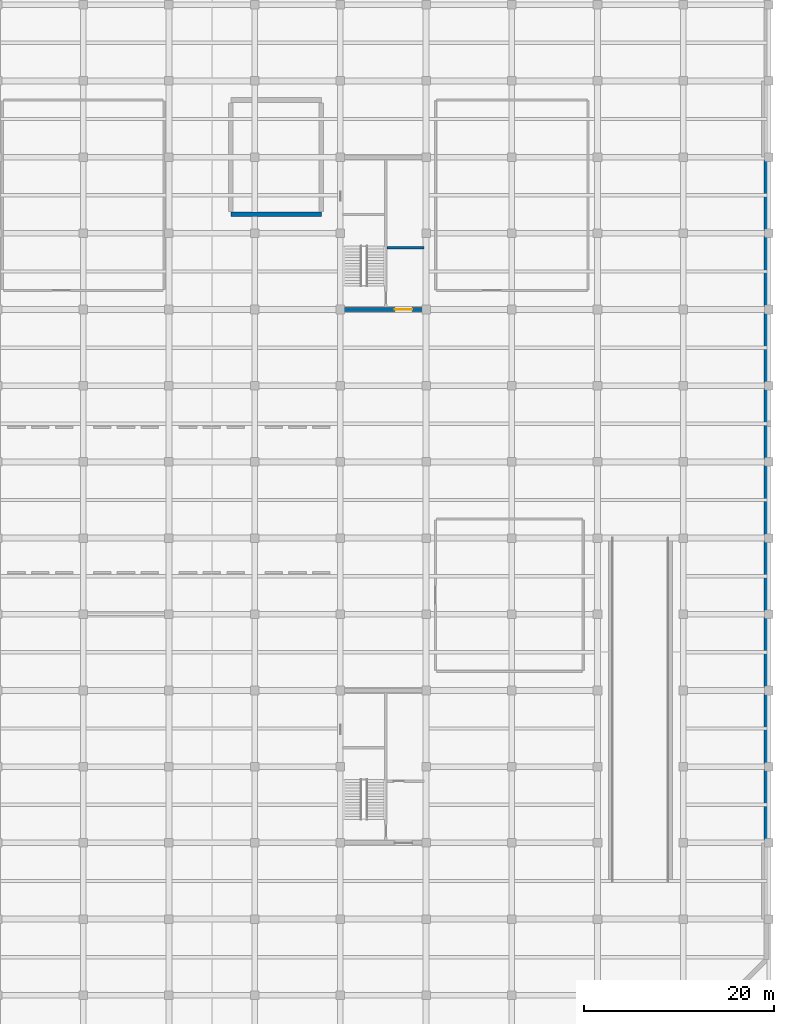
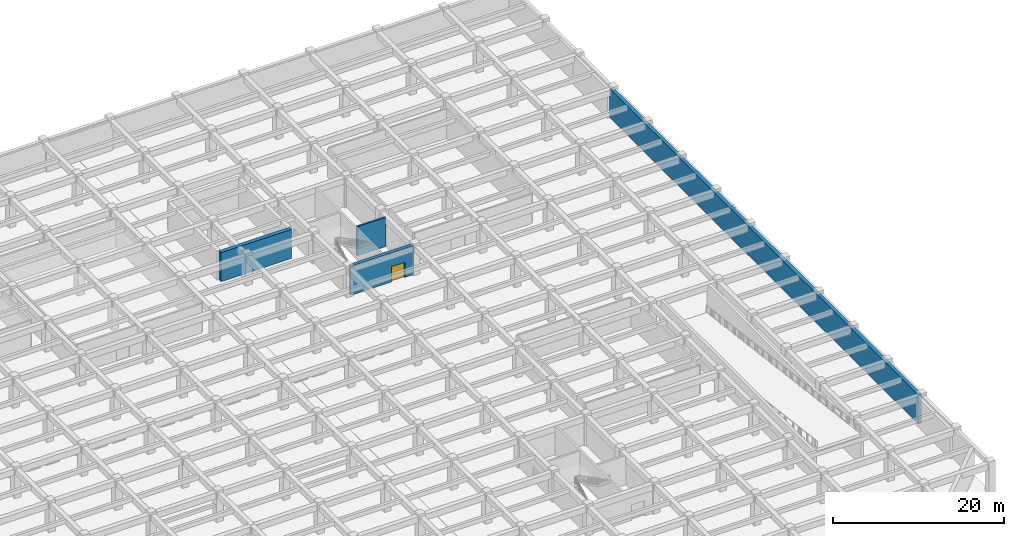
# One storey, part 17 of 26: 4 walls, 1 door, 1 opening.
"""IFC4 building model written with IfcOpenShell, lengths in metres."""

from ifc_helpers import new_model, si_unit, direction, frame, frame_2d, origin, place, context, subcontext, project, spatial, rectangle, extrude, material, layer, layer_set, type_object, element, fill, save


model = new_model("IFC4")

# Units and contexts
model_context = context("Model", 3, precision=1e-05, world=origin(), true_north=direction((0.0, 1.0)))
body_context = subcontext(model_context, "Body", "Model", "MODEL_VIEW")
ifc_project = project(units=[si_unit("LENGTHUNIT", "METRE"), si_unit("AREAUNIT", "SQUARE_METRE"), si_unit("VOLUMEUNIT", "CUBIC_METRE"), si_unit("PLANEANGLEUNIT", "RADIAN"), si_unit("MASSUNIT", "GRAM", prefix="KILO")], contexts=[model_context])

# Site, building, storey
site_placement = place(None, origin())
site = spatial("IfcSite", under=ifc_project, at=site_placement, CompositionType="ELEMENT")
building_placement = place(site_placement, origin())
building = spatial("IfcBuilding", under=site, at=building_placement, Name="Zaverband Oceanarium and Marine Research Institute", CompositionType="ELEMENT")
storey_placement = place(building_placement, frame((0.0, 0.0, -4.5)))
storey = spatial("IfcBuildingStorey", under=building, at=storey_placement, Name="B1", CompositionType="ELEMENT", Elevation=-4.5)

# Wall, opening, door
ifc_material_1 = material(Name="Concrete C50/60", Category="concrete")
ifc_layer_1 = layer(ifc_material_1, 0.449951171875, Name="Concrete C50/60")
ifc_layer_set_1 = layer_set([ifc_layer_1], Name="Concrete C50/60")
wall_type_1 = type_object("IfcWallType", Name="CW-02", PredefinedType="SHEAR", material=ifc_layer_set_1)
wall_1_placement = place(storey_placement, frame((135.22509765625, 80.0, 0.0), z_axis=(0.0, 0.0, 1.0), x_axis=(1.0, 0.0, 0.0)))
wall_1 = element("IfcWall", 1, at=wall_1_placement, inside=storey, type_object=wall_type_1, Name="Structural shear wall CW-02", PredefinedType="SHEAR", context=body_context, shape_type="SweptSolid", body=[
    extrude(rectangle(XDim=8.5498046875, YDim=0.449951171875, at=frame_2d((4.27490234375, 0.0))), origin(), (0.0, 0.0, 1.0), 4.14990234375),
])
opening_placement = place(wall_1_placement, frame((5.5, 0.0, 0.0)))
opening = element("IfcOpeningElement", 2, at=opening_placement, cuts=wall_1, Name="Opening FD-02", PredefinedType="OPENING", context=body_context, shape_type="SweptSolid", body=[
    extrude(rectangle(XDim=1.800048828125, YDim=2.179931640625, at=frame_2d((0.89990234375, 1.08984375))), frame((0.0, 0.23681640625, 0.0), z_axis=(0.0, -1.0, 0.0), x_axis=(1.0, 0.0, 0.0)), (0.0, 0.0, 1.0), 0.473876953125),
])
ifc_material_2 = material(Name="Steel S355", Category="steel")
door_type = type_object("IfcDoorType", Name="FD-02", OperationType="DOUBLE_DOOR_SINGLE_SWING", PredefinedType="DOOR", material=ifc_material_2)
door_placement = place(opening_placement, origin())
door = element("IfcDoor", 3, at=door_placement, inside=storey, type_object=door_type, Name="Protected lobby double fire door FD-02", OperationType="DOUBLE_DOOR_SINGLE_SWING", OverallHeight=2.179931640625, OverallWidth=1.800048828125, PredefinedType="DOOR", context=body_context, shape_type="SweptSolid", body=[
    extrude(rectangle(XDim=1.800048828125, YDim=2.179931640625, at=frame_2d((0.89990234375, 1.08984375))), frame((0.0, 0.02490234375, 0.0), z_axis=(0.0, -1.0, 0.0), x_axis=(1.0, 0.0, 0.0)), (0.0, 0.0, 1.0), 0.050048828125),
])
fill(opening, door)

# Walls
ifc_layer_2 = layer(ifc_material_1, 0.25, Name="Concrete C50/60")
ifc_layer_set_2 = layer_set([ifc_layer_2], Name="Concrete C50/60")
wall_type_2 = type_object("IfcWallType", Name="PW-CORE-250", PredefinedType="SOLIDWALL", material=ifc_layer_set_2)
wall_2_placement = place(storey_placement, frame((139.905029296875, 86.47509765625, 0.0), z_axis=(0.0, 0.0, 1.0), x_axis=(1.0, 0.0, 0.0)))
element("IfcWall", 4, at=wall_2_placement, inside=storey, type_object=wall_type_2, Name="Structural concrete wall PW-CORE-250", PredefinedType="SOLIDWALL", context=body_context, shape_type="SweptSolid", body=[
    extrude(rectangle(XDim=3.869873046875, YDim=0.25, at=frame_2d((1.93505859375, 0.0))), origin(), (0.0, 0.0, 1.0), 4.14990234375),
])
ifc_material_3 = material(Name="Concrete C45/55", Category="concrete")
ifc_layer_3 = layer(ifc_material_3, 0.47998046875, Name="Concrete C45/55")
ifc_layer_set_3 = layer_set([ifc_layer_3], Name="Concrete C45/55")
wall_type_3 = type_object("IfcWallType", Name="RW-01", PredefinedType="SHEAR", material=ifc_layer_set_3)
wall_3_placement = place(storey_placement, frame((179.75, 24.0, 0.0), z_axis=(0.0, 0.0, 1.0), x_axis=(0.0, 1.0, 0.0)))
element("IfcWall", 5, at=wall_3_placement, inside=storey, type_object=wall_type_3, Name="Basement retaining wall RW-01", PredefinedType="SHEAR", context=body_context, shape_type="SweptSolid", body=[
    extrude(rectangle(XDim=72.0, YDim=0.47998046875, at=frame_2d((36.0, 0.0))), origin(), (0.0, 0.0, 1.0), 4.14990234375),
])
ifc_layer_4 = layer(ifc_material_3, 0.5, Name="Concrete C45/55")
ifc_layer_set_4 = layer_set([ifc_layer_4], Name="Concrete C45/55")
wall_type_4 = type_object("IfcWallType", Name="TW-02", PredefinedType="SHEAR", material=ifc_layer_set_4)
wall_4_placement = place(storey_placement, frame((123.5, 90.0, 0.0), z_axis=(0.0, 0.0, 1.0), x_axis=(1.0, 0.0, 0.0)))
element("IfcWall", 6, at=wall_4_placement, inside=storey, type_object=wall_type_4, Name="Marine tank wall TW-02", PredefinedType="SHEAR", context=body_context, shape_type="SweptSolid", body=[
    extrude(rectangle(XDim=9.5, YDim=0.5, at=frame_2d((4.75, 0.0))), origin(), (0.0, 0.0, 1.0), 4.14990234375),
])

save(model, "model.ifc")
